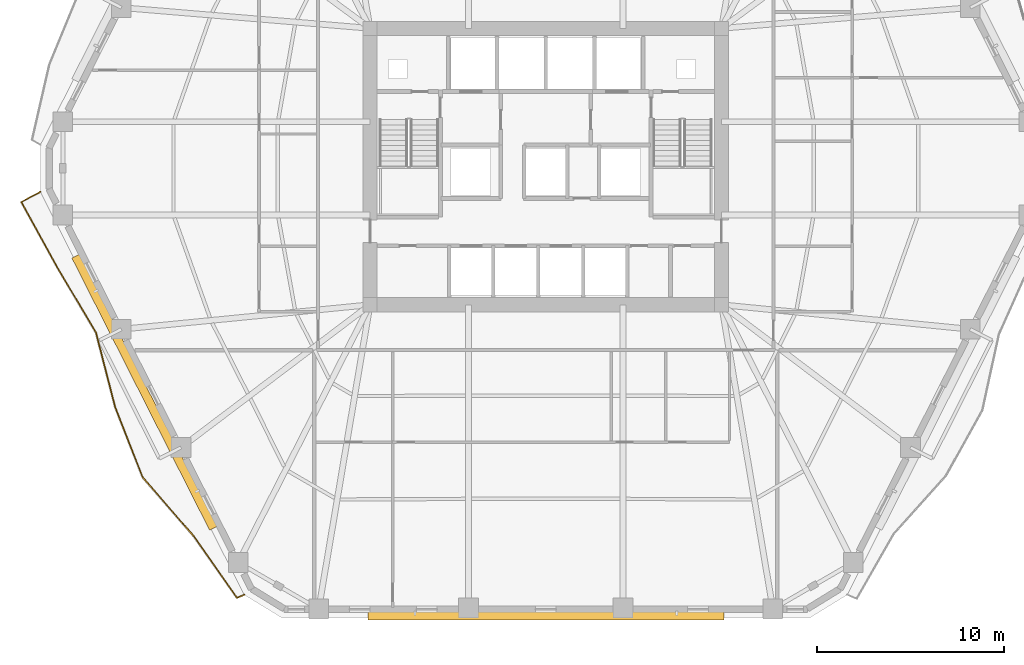
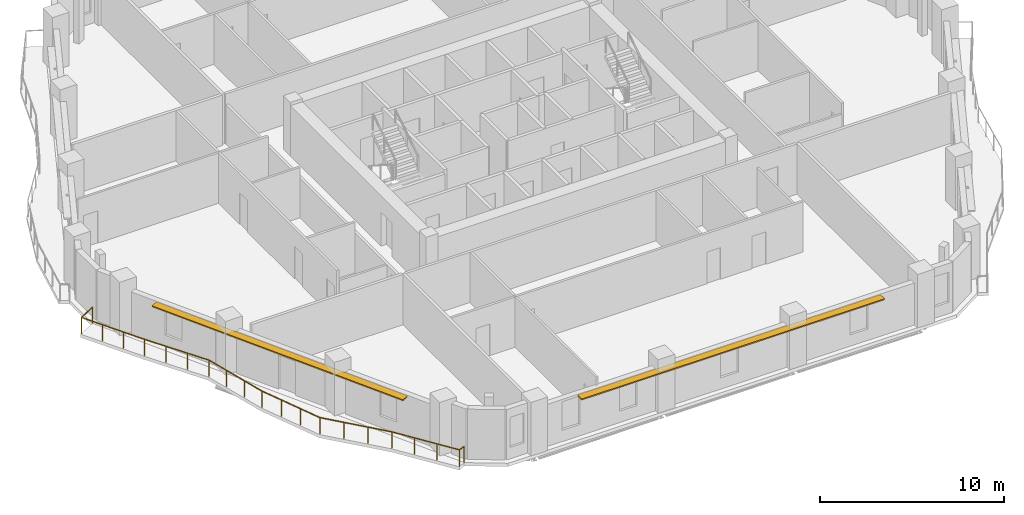
# One storey, part 10 of 13: 2 shading devices, 1 railing.
"""IFC4 building model written with IfcOpenShell, lengths in metres."""

from ifc_helpers import new_model, si_unit, direction, frame, origin, origin_2d, place, context, subcontext, project, spatial, rectangle, extrude, material, layer, layer_set, type_object, element, save


model = new_model("IFC4")

# Units and contexts
model_context = context("Model", 3, precision=1e-05, world=origin(), true_north=direction((0.0, 1.0)))
body_context = subcontext(model_context, "Body", "Model", "MODEL_VIEW")
ifc_project = project(units=[si_unit("LENGTHUNIT", "METRE"), si_unit("AREAUNIT", "SQUARE_METRE"), si_unit("VOLUMEUNIT", "CUBIC_METRE"), si_unit("PLANEANGLEUNIT", "RADIAN"), si_unit("MASSUNIT", "GRAM", prefix="KILO")], contexts=[model_context])

# Site, building, storey
site_placement = place(None, origin())
site = spatial("IfcSite", under=ifc_project, at=site_placement, CompositionType="ELEMENT")
building_placement = place(site_placement, origin())
building = spatial("IfcBuilding", under=site, at=building_placement, Name="Cinnabar Lancet Tower", CompositionType="ELEMENT")
storey_placement = place(building_placement, frame((0.0, 0.0, 83.550048828125)))
storey = spatial("IfcBuildingStorey", under=building, at=storey_placement, Name="L21", CompositionType="ELEMENT", Elevation=83.550048828125)

# Railing
ifc_material_1 = material(Name="Laminated safety glass and bronze stainless steel balustrade", Category="steel")
railing_type = type_object("IfcRailingType", Name="ENV-RLG-BAL-1100", PredefinedType="BALUSTRADE", material=ifc_material_1)
railing_placement = place(storey_placement, frame((5.431884765625, 24.551025390625, 0.0)))
element("IfcRailing", 1, at=railing_placement, inside=storey, type_object=railing_type, Name="L21 Face 6 Wave Balcony Balustrade", PredefinedType="BALUSTRADE", context=body_context, shape_type="SweptSolid", body=[
    extrude(rectangle(XDim=0.048095703125, YDim=0.048095703125, at=origin_2d()), frame((0.0, 0.0, 1.076171875), z_axis=(-0.881224821561, -0.472697380852, 0.0), x_axis=(0.472697380852, -0.881224821561, 0.0)), (0.0, 0.0, 1.0), 1.15283203125),
    extrude(rectangle(XDim=0.048095703125, YDim=0.048095703125, at=origin_2d()), frame((-1.015869140625, -0.544921875, 1.076171875), z_axis=(0.482874504241, -0.875689564374, 0.0), x_axis=(0.875689564374, 0.482874504241, 0.0)), (0.0, 0.0, 1.0), 4.00927734375),
    extrude(rectangle(XDim=0.048095703125, YDim=0.048095703125, at=origin_2d()), frame((0.920166015625, -4.055908203125, 1.076171875), z_axis=(0.509515700391, -0.86046135942, 0.0), x_axis=(0.86046135942, 0.509515700391, 0.0)), (0.0, 0.0, 1.0), 4.015380859375),
    extrude(rectangle(XDim=0.048095703125, YDim=0.048095703125, at=origin_2d()), frame((2.966064453125, -7.510986328125, 1.076171875), z_axis=(0.249463844651, -0.968384112949, 0.0), x_axis=(0.968384112949, 0.249463844651, 0.0)), (0.0, 0.0, 1.0), 4.1005859375),
    extrude(rectangle(XDim=0.048095703125, YDim=0.048095703125, at=origin_2d()), frame((3.989013671875, -11.48193359375, 1.076171875), z_axis=(0.364781311314, -0.931093225685, 0.0), x_axis=(0.931093225685, 0.364781311314, 0.0)), (0.0, 0.0, 1.0), 4.0244140625),
    extrude(rectangle(XDim=0.048095703125, YDim=0.048095703125, at=origin_2d()), frame((5.45703125, -15.22900390625, 1.076171875), z_axis=(0.655587341113, -0.755119353594, 0.0), x_axis=(0.755119353594, 0.655587341113, 0.0)), (0.0, 0.0, 1.0), 4.130615234375),
    extrude(rectangle(XDim=0.048095703125, YDim=0.048095703125, at=origin_2d()), frame((8.1650390625, -18.34814453125, 1.076171875), z_axis=(0.575120020943, -0.818069044464, 0.0), x_axis=(0.818069044464, 0.575120020943, 0.0)), (0.0, 0.0, 1.0), 4.0498046875),
    extrude(rectangle(XDim=0.048095703125, YDim=0.048095703125, at=origin_2d()), frame((10.494140625, -21.6611328125, 1.076171875), z_axis=(0.92447209372, 0.381249718599, 0.0), x_axis=(-0.381249718599, 0.92447209372, 0.0)), (0.0, 0.0, 1.0), 0.41748046875),
    extrude(rectangle(XDim=0.0419921875, YDim=0.0419921875, at=origin_2d()), origin(), (0.0, 0.0, 1.0), 1.052001953125),
    extrude(rectangle(XDim=0.0419921875, YDim=0.0419921875, at=origin_2d()), frame((-1.015869140625, -0.544921875, 0.0)), (0.0, 0.0, 1.0), 1.052001953125),
    extrude(rectangle(XDim=0.0419921875, YDim=0.0419921875, at=origin_2d()), frame((-0.37060546875, -1.71533203125, 0.0)), (0.0, 0.0, 1.0), 1.052001953125),
    extrude(rectangle(XDim=0.0419921875, YDim=0.0419921875, at=origin_2d()), frame((0.27490234375, -2.885498046875, 0.0)), (0.0, 0.0, 1.0), 1.052001953125),
    extrude(rectangle(XDim=0.0419921875, YDim=0.0419921875, at=origin_2d()), frame((0.920166015625, -4.055908203125, 0.0)), (0.0, 0.0, 1.0), 1.052001953125),
    extrude(rectangle(XDim=0.0419921875, YDim=0.0419921875, at=origin_2d()), frame((1.60205078125, -5.20751953125, 0.0)), (0.0, 0.0, 1.0), 1.052001953125),
    extrude(rectangle(XDim=0.0419921875, YDim=0.0419921875, at=origin_2d()), frame((2.2841796875, -6.359375, 0.0)), (0.0, 0.0, 1.0), 1.052001953125),
    extrude(rectangle(XDim=0.0419921875, YDim=0.0419921875, at=origin_2d()), frame((2.966064453125, -7.510986328125, 0.0)), (0.0, 0.0, 1.0), 1.052001953125),
    extrude(rectangle(XDim=0.0419921875, YDim=0.0419921875, at=origin_2d()), frame((3.30712890625, -8.834716796875, 0.0)), (0.0, 0.0, 1.0), 1.052001953125),
    extrude(rectangle(XDim=0.0419921875, YDim=0.0419921875, at=origin_2d()), frame((3.64794921875, -10.158203125, 0.0)), (0.0, 0.0, 1.0), 1.052001953125),
    extrude(rectangle(XDim=0.0419921875, YDim=0.0419921875, at=origin_2d()), frame((3.989013671875, -11.48193359375, 0.0)), (0.0, 0.0, 1.0), 1.052001953125),
    extrude(rectangle(XDim=0.0419921875, YDim=0.0419921875, at=origin_2d()), frame((4.478271484375, -12.73095703125, 0.0)), (0.0, 0.0, 1.0), 1.052001953125),
    extrude(rectangle(XDim=0.0419921875, YDim=0.0419921875, at=origin_2d()), frame((4.9677734375, -13.97998046875, 0.0)), (0.0, 0.0, 1.0), 1.052001953125),
    extrude(rectangle(XDim=0.0419921875, YDim=0.0419921875, at=origin_2d()), frame((5.45703125, -15.22900390625, 0.0)), (0.0, 0.0, 1.0), 1.052001953125),
    extrude(rectangle(XDim=0.0419921875, YDim=0.0419921875, at=origin_2d()), frame((6.359619140625, -16.268798828125, 0.0)), (0.0, 0.0, 1.0), 1.052001953125),
    extrude(rectangle(XDim=0.0419921875, YDim=0.0419921875, at=origin_2d()), frame((7.262451171875, -17.308349609375, 0.0)), (0.0, 0.0, 1.0), 1.052001953125),
    extrude(rectangle(XDim=0.0419921875, YDim=0.0419921875, at=origin_2d()), frame((8.1650390625, -18.34814453125, 0.0)), (0.0, 0.0, 1.0), 1.052001953125),
    extrude(rectangle(XDim=0.0419921875, YDim=0.0419921875, at=origin_2d()), frame((8.94140625, -19.452392578125, 0.0)), (0.0, 0.0, 1.0), 1.052001953125),
    extrude(rectangle(XDim=0.0419921875, YDim=0.0419921875, at=origin_2d()), frame((9.7177734375, -20.556884765625, 0.0)), (0.0, 0.0, 1.0), 1.052001953125),
    extrude(rectangle(XDim=0.0419921875, YDim=0.0419921875, at=origin_2d()), frame((10.494140625, -21.6611328125, 0.0)), (0.0, 0.0, 1.0), 1.052001953125),
    extrude(rectangle(XDim=0.0419921875, YDim=0.0419921875, at=origin_2d()), frame((10.880126953125, -21.501953125, 0.0)), (0.0, 0.0, 1.0), 1.052001953125),
])

# Shading devices
ifc_material_2 = material(Name="Pale limestone architectural aluminium sunshade", Category="masonry")
ifc_layer = layer(ifc_material_2, 0.080078125)
ifc_layer_set = layer_set([ifc_layer], Name="Pale limestone architectural aluminium sunshade")
shading_device_type = type_object("IfcShadingDeviceType", Name="ENV-SHD-LVR-450", PredefinedType="JALOUSIE", material=ifc_layer_set)
shading_device_1_placement = place(storey_placement, frame((32.39990234375, 1.929931640625, 2.639892578125), z_axis=(0.0, 0.0, 1.0), x_axis=(1.0, 0.0, 0.0)))
element("IfcShadingDevice", 2, at=shading_device_1_placement, inside=storey, type_object=shading_device_type, Name="L21 Face 1 Horizontal Sunshade Canopy", PredefinedType="JALOUSIE", context=body_context, shape_type="SweptSolid", body=[
    extrude(rectangle(XDim=18.993896484375, YDim=0.449951171875, at=origin_2d()), origin(), (0.0, 0.0, 1.0), 0.080078125),
])
shading_device_2_placement = place(storey_placement, frame((10.989990234375, 13.85595703125, 2.639892578125), z_axis=(0.0, 0.0, 1.0), x_axis=(0.451500573218, -0.892270829056, 0.0)))
element("IfcShadingDevice", 3, at=shading_device_2_placement, inside=storey, type_object=shading_device_type, Name="L21 Face 6 Horizontal Sunshade Canopy", PredefinedType="JALOUSIE", context=body_context, shape_type="SweptSolid", body=[
    extrude(rectangle(XDim=16.279052734375, YDim=0.449951171875, at=origin_2d()), origin(), (0.0, 0.0, 1.0), 0.080078125),
])

save(model, "model.ifc")
